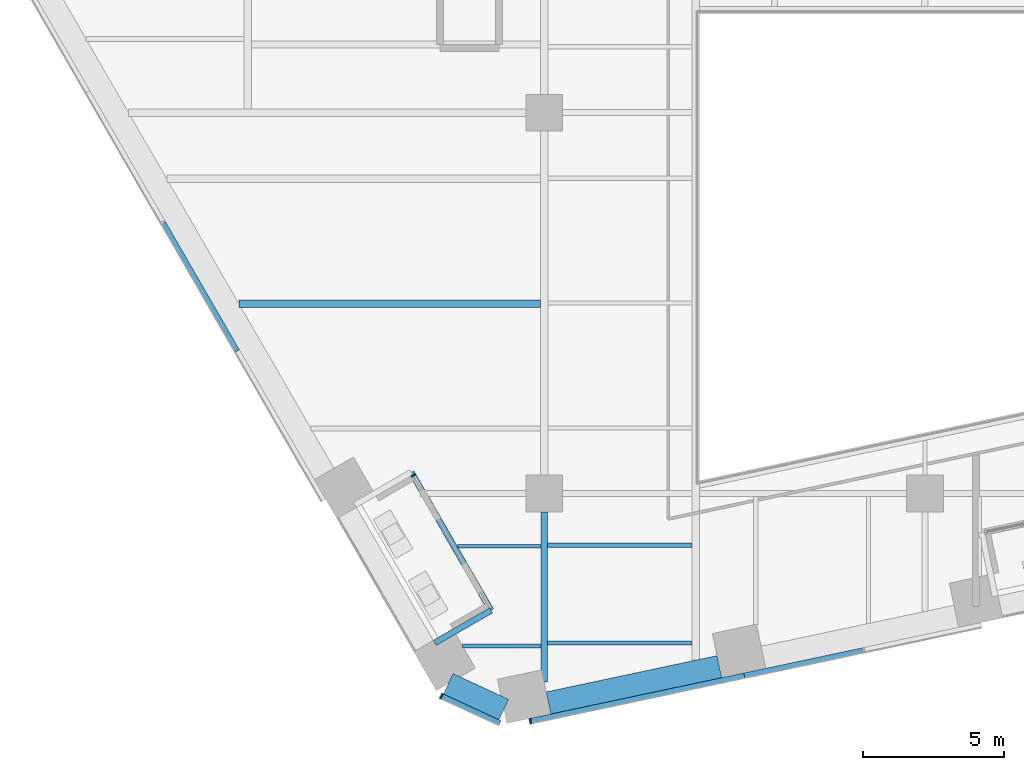
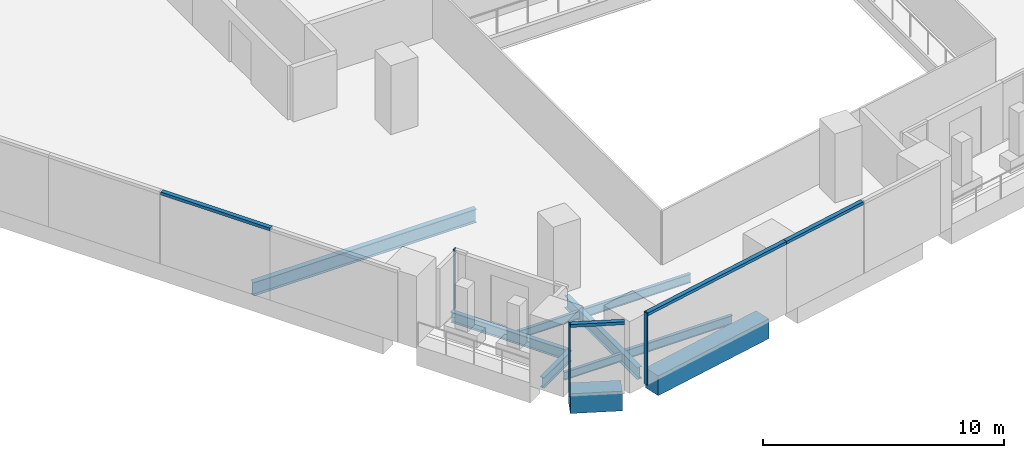
# One storey, part 2 of 28: 10 beams, 7 members, 4 elements without a shape of their own.
"""IFC4 building model written with IfcOpenShell, lengths in metres."""

from ifc_helpers import new_model, si_unit, direction, frame, origin, origin_2d, place, context, subcontext, project, spatial, rectangle, i_section, extrude, material, layer, layer_set, material_profile, profile_set, type_object, element, aggregate, save


model = new_model("IFC4")

# Units and contexts
model_context = context("Model", 3, precision=1e-05, world=origin(), true_north=direction((0.0, 1.0)))
body_context = subcontext(model_context, "Body", "Model", "MODEL_VIEW")
ifc_project = project(units=[si_unit("LENGTHUNIT", "METRE"), si_unit("AREAUNIT", "SQUARE_METRE"), si_unit("VOLUMEUNIT", "CUBIC_METRE"), si_unit("PLANEANGLEUNIT", "RADIAN"), si_unit("MASSUNIT", "GRAM", prefix="KILO")], contexts=[model_context])

# Site, building, storey
site_placement = place(None, origin())
site = spatial("IfcSite", under=ifc_project, at=site_placement, CompositionType="ELEMENT")
building_placement = place(site_placement, origin())
building = spatial("IfcBuilding", under=site, at=building_placement, Name="Isthmus Gate Tower", CompositionType="ELEMENT")
storey_placement = place(building_placement, frame((0.0, 0.0, 98.89990234375)))
storey = spatial("IfcBuildingStorey", under=building, at=storey_placement, Name="L23", CompositionType="ELEMENT", Elevation=98.89990234375)

# Curtain wall, member
ifc_material_1 = material(Name="Aluminium, pale champagne anodised", Category="aluminium")
ifc_layer_1 = layer(ifc_material_1, 0.199951171875)
ifc_layer_set_1 = layer_set([ifc_layer_1], Name="CW-1 UNITISED CURTAIN WALL 200 DEEP")
curtain_wall_type_1 = type_object("IfcCurtainWallType", Name="CW-1 UNITISED CURTAIN WALL 200 DEEP", PredefinedType="NOTDEFINED", material=ifc_layer_set_1)
curtain_wall_1_placement = place(storey_placement, origin())
curtain_wall_1 = element("IfcCurtainWall", 1, at=curtain_wall_1_placement, inside=storey, type_object=curtain_wall_type_1, Name="CW-1 SW-S L23", PredefinedType="NOTDEFINED")
ifc_material_2 = material(Name="Aluminium, pale champagne anodised", Category="aluminium")
ifc_material_profile_1 = material_profile(ifc_material_2, rectangle(XDim=0.06005859375, YDim=0.199951171875, at=origin_2d()), Name="60x200")
ifc_profile_set_1 = profile_set([ifc_material_profile_1], Name="Aluminium, pale champagne anodised")
member_type_1 = type_object("IfcMemberType", Name="CW-1 MULLION 60 X 200", PredefinedType="MULLION", material=ifc_profile_set_1)
member_1_placement = place(storey_placement, frame((-17.14794921875, -34.184814453125, 0.0), z_axis=(0.0, 0.0, 1.0), x_axis=(0.907256261367, -0.420578264073, 0.0)))
member_1 = element("IfcMember", 2, at=member_1_placement, type_object=member_type_1, Name="CW-1 mullion", PredefinedType="MULLION", context=body_context, shape_type="SweptSolid", body=[
    extrude(rectangle(XDim=0.06005859375, YDim=0.199951171875, at=origin_2d()), origin(), (0.0, 0.0, 1.0), 3.650146484375),
])

curtain_wall_2_placement = place(storey_placement, origin())
curtain_wall_2 = element("IfcCurtainWall", 3, at=curtain_wall_2_placement, inside=storey, type_object=curtain_wall_type_1, Name="CW-1 S L23", PredefinedType="NOTDEFINED")
member_2_placement = place(storey_placement, frame((-13.992919921875, -35.076416015625, 0.0), z_axis=(0.0, 0.0, 1.0), x_axis=(0.978147600734, 0.207911690818, 0.0)))
member_2 = element("IfcMember", 4, at=member_2_placement, type_object=member_type_1, Name="CW-1 mullion", PredefinedType="MULLION", context=body_context, shape_type="SweptSolid", body=[
    extrude(rectangle(XDim=0.06005859375, YDim=0.199951171875, at=origin_2d()), origin(), (0.0, 0.0, 1.0), 3.650146484375),
])

curtain_wall_3_placement = place(storey_placement, origin())
curtain_wall_3 = element("IfcCurtainWall", 5, at=curtain_wall_3_placement, inside=storey, type_object=curtain_wall_type_1, Name="CW-1 SW L23", PredefinedType="NOTDEFINED")
ifc_material_3 = material(Name="Aluminium, pale champagne anodised", Category="aluminium")
ifc_material_profile_2 = material_profile(ifc_material_3, rectangle(XDim=0.199951171875, YDim=0.14990234375, at=origin_2d()), Name="200x150")
ifc_profile_set_2 = profile_set([ifc_material_profile_2], Name="Aluminium, pale champagne anodised")
member_type_2 = type_object("IfcMemberType", Name="CW-1 TRANSOM 200 X 150", PredefinedType="USERDEFINED", material=ifc_profile_set_2)
member_3_placement = place(storey_placement, frame((-27.01171875, -17.414306640625, 3.5751953125), z_axis=(0.499996256241, -0.866027565234, 0.0), x_axis=(0.866027565234, 0.499996256241, 0.0)))
member_3 = element("IfcMember", 6, at=member_3_placement, type_object=member_type_2, Name="CW-1 transom", ObjectType="TRANSOM", PredefinedType="USERDEFINED", context=body_context, shape_type="SweptSolid", body=[
    extrude(rectangle(XDim=0.199951171875, YDim=0.14990234375, at=origin_2d()), origin(), (0.0, 0.0, 1.0), 5.24853515625),
])
aggregate(curtain_wall_3, [member_3])

# Member
member_4_placement = place(storey_placement, frame((-17.120849609375, -34.197509765625, 3.5751953125), z_axis=(0.907246225564, -0.420599912268, 0.0), x_axis=(0.420599912268, 0.907246225564, 0.0)))
member_4 = element("IfcMember", 7, at=member_4_placement, type_object=member_type_2, Name="CW-1 transom", ObjectType="TRANSOM", PredefinedType="USERDEFINED", context=body_context, shape_type="SweptSolid", body=[
    extrude(rectangle(XDim=0.199951171875, YDim=0.14990234375, at=origin_2d()), origin(), (0.0, 0.0, 1.0), 2.258544921875),
])

aggregate(curtain_wall_1, [member_1, member_4])

member_5_placement = place(storey_placement, frame((-13.963623046875, -35.0703125, 3.5751953125), z_axis=(0.97815050153, 0.207898043176, 0.0), x_axis=(-0.207898043176, 0.97815050153, 0.0)))
member_5 = element("IfcMember", 8, at=member_5_placement, type_object=member_type_2, Name="CW-1 transom", ObjectType="TRANSOM", PredefinedType="USERDEFINED", context=body_context, shape_type="SweptSolid", body=[
    extrude(rectangle(XDim=0.199951171875, YDim=0.14990234375, at=origin_2d()), origin(), (0.0, 0.0, 1.0), 7.7294921875),
])

member_6_placement = place(storey_placement, frame((-6.403076171875, -33.46337890625, 3.5751953125), z_axis=(0.97813890815, 0.207952582007, 0.0), x_axis=(-0.207952582007, 0.97813890815, 0.0)))
member_6 = element("IfcMember", 9, at=member_6_placement, type_object=member_type_2, Name="CW-1 transom", ObjectType="TRANSOM", PredefinedType="USERDEFINED", context=body_context, shape_type="SweptSolid", body=[
    extrude(rectangle(XDim=0.199951171875, YDim=0.14990234375, at=origin_2d()), origin(), (0.0, 0.0, 1.0), 4.294677734375),
])

aggregate(curtain_wall_2, [member_2, member_5, member_6])

# Curtain wall, member
ifc_material_4 = material(Name="Aluminium, pale champagne anodised", Category="aluminium")
ifc_layer_2 = layer(ifc_material_4, 0.14990234375)
ifc_layer_set_2 = layer_set([ifc_layer_2], Name="CW-6 LOGGIA BACK WALL GLAZING 150 DEEP")
curtain_wall_type_2 = type_object("IfcCurtainWallType", Name="CW-6 LOGGIA BACK WALL GLAZING 150 DEEP", PredefinedType="NOTDEFINED", material=ifc_layer_set_2)
curtain_wall_4_placement = place(storey_placement, origin())
curtain_wall_4 = element("IfcCurtainWall", 10, at=curtain_wall_4_placement, inside=storey, type_object=curtain_wall_type_2, Name="CW-6 SW L23", PredefinedType="NOTDEFINED")
ifc_material_5 = material(Name="Aluminium, pale champagne anodised", Category="aluminium")
ifc_material_profile_3 = material_profile(ifc_material_5, rectangle(XDim=0.06005859375, YDim=0.14990234375, at=origin_2d()), Name="60x150")
ifc_profile_set_3 = profile_set([ifc_material_profile_3], Name="Aluminium, pale champagne anodised")
member_type_3 = type_object("IfcMemberType", Name="CW-6 MULLION 60 X 150", PredefinedType="MULLION", material=ifc_profile_set_3)
member_7_placement = place(storey_placement, frame((-18.146728515625, -26.368896484375, 0.0), z_axis=(0.0, 0.0, 1.0), x_axis=(0.5, -0.866025403784, 0.0)))
member_7 = element("IfcMember", 11, at=member_7_placement, type_object=member_type_3, Name="CW-6 mullion", PredefinedType="MULLION", context=body_context, shape_type="SweptSolid", body=[
    extrude(rectangle(XDim=0.06005859375, YDim=0.14990234375, at=origin_2d()), origin(), (0.0, 0.0, 1.0), 3.050048828125),
])
aggregate(curtain_wall_4, [member_7])

# Beams
ifc_material_6 = material(Name="Concrete f'c 70 MPa", Category="concrete")
ifc_material_profile_4 = material_profile(ifc_material_6, rectangle(XDim=0.800048828125, YDim=1.0, at=origin_2d()), Name="RC 800X1000")
ifc_profile_set_4 = profile_set([ifc_material_profile_4], Name="Concrete f'c 70 MPa")
beam_type_1 = type_object("IfcBeamType", Name="RC SPANDREL 800 X 1000", PredefinedType="SPANDREL", material=ifc_profile_set_4)
beam_1_placement = place(storey_placement, frame((-7.28955078125, -33.140625, -0.5), z_axis=(-0.978155442329, -0.207874795591, 0.0), x_axis=(0.207874795591, -0.978155442329, 0.0)))
element("IfcBeam", 12, at=beam_1_placement, inside=storey, type_object=beam_type_1, Name="str-spandrel-L23-13", PredefinedType="SPANDREL", context=body_context, shape_type="SweptSolid", body=[
    extrude(rectangle(XDim=0.800048828125, YDim=1.0, at=origin_2d()), origin(), (0.0, 0.0, 1.0), 6.189453125),
])
beam_2_placement = place(storey_placement, frame((-14.929443359375, -34.662109375, -0.5), z_axis=(-0.907290744498, 0.420503870314, 0.0), x_axis=(-0.420503870314, -0.907290744498, 0.0)))
element("IfcBeam", 13, at=beam_2_placement, inside=storey, type_object=beam_type_1, Name="str-spandrel-L23-14", PredefinedType="SPANDREL", context=body_context, shape_type="SweptSolid", body=[
    extrude(rectangle(XDim=0.800048828125, YDim=1.0, at=origin_2d()), origin(), (0.0, 0.0, 1.0), 2.173095703125),
])
ifc_material_7 = material(Name="Structural steel ASTM A992 Gr 50", Category="steel")
ifc_material_profile_5 = material_profile(ifc_material_7, i_section(OverallWidth=0.1396484375, OverallDepth=0.4033203125, WebThickness=0.00634765625, FlangeThickness=0.010986328125, at=origin_2d()), Name="W16X31")
ifc_profile_set_5 = profile_set([ifc_material_profile_5], Name="Structural steel ASTM A992 Gr 50")
beam_type_2 = type_object("IfcBeamType", Name="STEEL FLOOR BEAM W16X31", PredefinedType="JOIST", material=ifc_profile_set_5)
beam_3_placement = place(storey_placement, frame((-16.393310546875, -32.406005859375, -0.3515625), z_axis=(1.0, 0.0, 0.0), x_axis=(0.0, 1.0, 0.0)))
element("IfcBeam", 14, at=beam_3_placement, inside=storey, type_object=beam_type_2, Name="str-beam-L23-12-00", PredefinedType="JOIST", context=body_context, shape_type="SweptSolid", body=[
    extrude(i_section(OverallWidth=0.1396484375, OverallDepth=0.4033203125, WebThickness=0.00634765625, FlangeThickness=0.010986328125, at=origin_2d()), origin(), (0.0, 0.0, 1.0), 2.779052734375),
])
beam_4_placement = place(storey_placement, frame((-16.5751953125, -28.871826171875, -0.3515625), z_axis=(1.0, 0.0, 0.0), x_axis=(0.0, 1.0, 0.0)))
element("IfcBeam", 15, at=beam_4_placement, inside=storey, type_object=beam_type_2, Name="str-beam-L23-12-01", PredefinedType="JOIST", context=body_context, shape_type="SweptSolid", body=[
    extrude(i_section(OverallWidth=0.1396484375, OverallDepth=0.4033203125, WebThickness=0.00634765625, FlangeThickness=0.010986328125, at=origin_2d()), origin(), (0.0, 0.0, 1.0), 2.9609375),
])
ifc_material_8 = material(Name="Structural steel ASTM A992 Gr 50", Category="steel")
ifc_material_profile_6 = material_profile(ifc_material_8, i_section(OverallWidth=0.15234375, OverallDepth=0.45068359375, WebThickness=0.0078125, FlangeThickness=0.010986328125, at=origin_2d()), Name="W18X35")
ifc_profile_set_6 = profile_set([ifc_material_profile_6], Name="Structural steel ASTM A992 Gr 50")
beam_type_3 = type_object("IfcBeamType", Name="STEEL FLOOR BEAM W18X35", PredefinedType="JOIST", material=ifc_profile_set_6)
for number, where, z_axis, x_axis, name in (
    (16, (-13.3857421875, -32.30322265625, -0.375244140625), (1.0, 0.0, 0.0), (0.0, 1.0, 0.0), "str-beam-L23-13-00"),
    (17, (-13.3857421875, -28.837646484375, -0.375244140625), (1.0, 0.0, 0.0), (0.0, 1.0, 0.0), "str-beam-L23-13-01"),
):
    element("IfcBeam", number, at=place(storey_placement, frame(where, z_axis=z_axis, x_axis=x_axis)), inside=storey, type_object=beam_type_3, Name=name, PredefinedType="JOIST", context=body_context, shape_type="SweptSolid", body=[
        extrude(i_section(OverallWidth=0.15234375, OverallDepth=0.45068359375, WebThickness=0.0078125, FlangeThickness=0.010986328125, at=origin_2d()), origin(), (0.0, 0.0, 1.0), 5.119140625),
    ])
ifc_material_9 = material(Name="Structural steel ASTM A992 Gr 50", Category="steel")
ifc_material_profile_7 = material_profile(ifc_material_9, i_section(OverallWidth=0.25390625, OverallDepth=0.679443359375, WebThickness=0.010986328125, FlangeThickness=0.015869140625, at=origin_2d()), Name="W27X84")
ifc_profile_set_7 = profile_set([ifc_material_profile_7], Name="Structural steel ASTM A992 Gr 50")
beam_type_4 = type_object("IfcBeamType", Name="STEEL FLOOR BEAM W27X84", PredefinedType="JOIST", material=ifc_profile_set_7)
beam_5_placement = place(storey_placement, frame((-24.322509765625, -20.2724609375, -0.489501953125), z_axis=(1.0, 0.0, 0.0), x_axis=(0.0, 1.0, 0.0)))
element("IfcBeam", 18, at=beam_5_placement, inside=storey, type_object=beam_type_4, Name="str-beam-L23-07-01", PredefinedType="JOIST", context=body_context, shape_type="SweptSolid", body=[
    extrude(i_section(OverallWidth=0.25390625, OverallDepth=0.679443359375, WebThickness=0.010986328125, FlangeThickness=0.015869140625, at=origin_2d()), origin(), (0.0, 0.0, 1.0), 10.690673828125),
])
ifc_material_10 = material(Name="Structural steel ASTM A992 Gr 50", Category="steel")
ifc_material_profile_8 = material_profile(ifc_material_10, i_section(OverallWidth=0.228515625, OverallDepth=0.603271484375, WebThickness=0.010986328125, FlangeThickness=0.014404296875, at=origin_2d()), Name="W24X68")
ifc_profile_set_8 = profile_set([ifc_material_profile_8], Name="Structural steel ASTM A992 Gr 50")
beam_type_5 = type_object("IfcBeamType", Name="STEEL GIRDER W24X68", PredefinedType="BEAM", material=ifc_profile_set_8)
beam_6_placement = place(storey_placement, frame((-13.5, -33.69189453125, -0.451416015625), z_axis=(0.0, 1.0, 0.0), x_axis=(-1.0, 0.0, 0.0)))
element("IfcBeam", 19, at=beam_6_placement, inside=storey, type_object=beam_type_5, Name="str-girder-L23-24", PredefinedType="BEAM", context=body_context, shape_type="SweptSolid", body=[
    extrude(i_section(OverallWidth=0.228515625, OverallDepth=0.603271484375, WebThickness=0.010986328125, FlangeThickness=0.014404296875, at=origin_2d()), origin(), (0.0, 0.0, 1.0), 6.0419921875),
])
ifc_material_11 = material(Name="Structural steel ASTM A992 Gr 50", Category="steel")
ifc_material_profile_9 = material_profile(ifc_material_11, i_section(OverallWidth=0.20947265625, OverallDepth=0.533447265625, WebThickness=0.009521484375, FlangeThickness=0.015869140625, at=origin_2d()), Name="W21X62")
ifc_profile_set_9 = profile_set([ifc_material_profile_9], Name="Structural steel ASTM A992 Gr 50")
beam_type_6 = type_object("IfcBeamType", Name="STEEL TRIMMER W21X62", PredefinedType="BEAM", material=ifc_profile_set_9)
beam_7_placement = place(storey_placement, frame((-18.2099609375, -26.249755859375, -0.41650390625), z_axis=(0.499980405277, -0.866036716508, 0.0), x_axis=(0.866036716508, 0.499980405277, 0.0)))
element("IfcBeam", 20, at=beam_7_placement, inside=storey, type_object=beam_type_6, Name="str-loggiatrim-L23-03-B", PredefinedType="BEAM", context=body_context, shape_type="SweptSolid", body=[
    extrude(i_section(OverallWidth=0.20947265625, OverallDepth=0.533447265625, WebThickness=0.009521484375, FlangeThickness=0.015869140625, at=origin_2d()), origin(), (0.0, 0.0, 1.0), 5.653076171875),
])
beam_8_placement = place(storey_placement, frame((-17.37939453125, -32.2978515625, -0.41650390625), z_axis=(0.866017993231, 0.500012835235, 0.0), x_axis=(-0.500012835235, 0.866017993231, 0.0)))
element("IfcBeam", 21, at=beam_8_placement, inside=storey, type_object=beam_type_6, Name="str-loggiatrim-L23-03-C", PredefinedType="BEAM", context=body_context, shape_type="SweptSolid", body=[
    extrude(i_section(OverallWidth=0.20947265625, OverallDepth=0.533447265625, WebThickness=0.009521484375, FlangeThickness=0.015869140625, at=origin_2d()), origin(), (0.0, 0.0, 1.0), 2.3046875),
])

save(model, "model.ifc")
